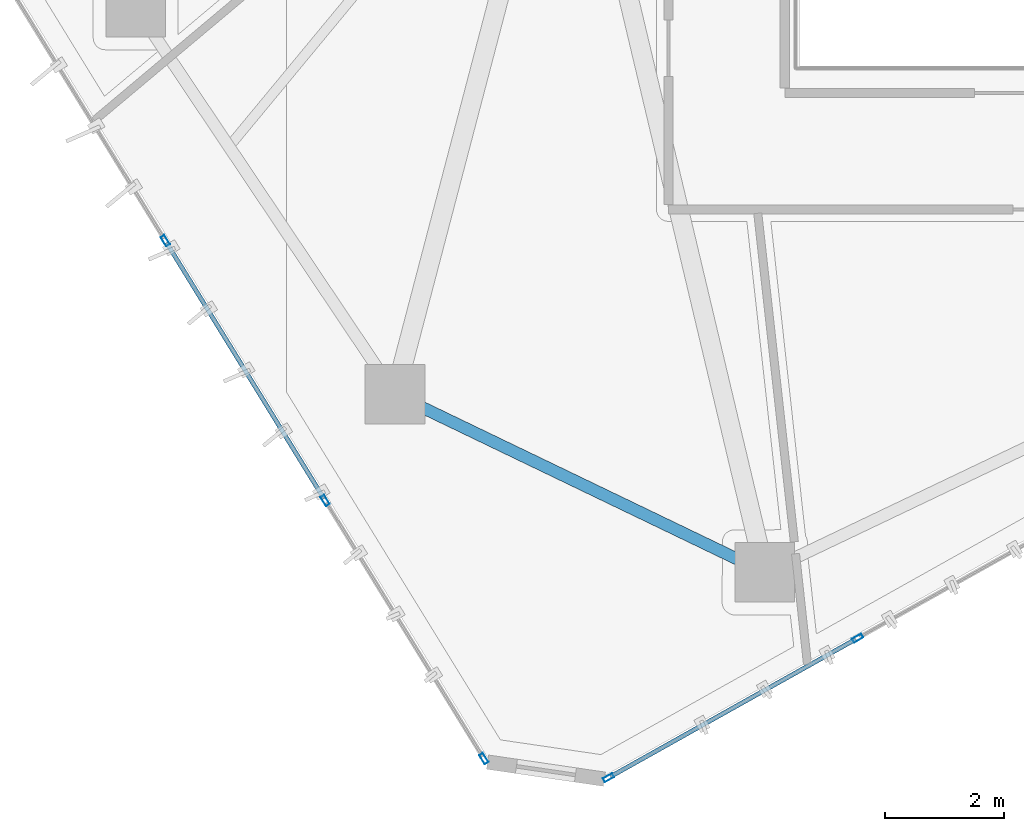
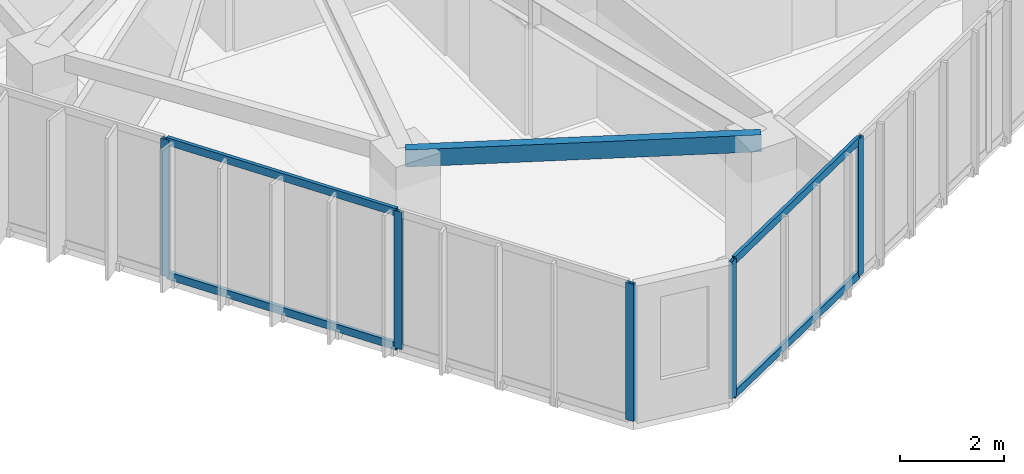
# One storey, part 2 of 19: 9 members, 1 beam, 2 elements without a shape of their own.
"""IFC4 building model written with IfcOpenShell, lengths in metres."""

import ifcopenshell
import ifcopenshell.guid

model = None  # the IFC model being written
_history = None  # IfcOwnerHistory: only IFC2X3 demands one
_inside = {}  # id of a spatial element -> (the spatial element, [elements in it])
_under = {}  # id of a project, library or spatial element -> (it, [spatial elements below it])
_declared = {}  # id of a project -> (the project, [libraries it declares])
_typed = {}  # id of a type object -> (the type object, [elements of that type])
_made_of = {}  # id of a material, layer set ... -> (it, [elements and type objects made of it])


def new_model(schema):
    """Start an empty IFC model of exactly this schema.

    Asked for "IFC4X3", IfcOpenShell would pick the latest addendum, in which some entities
    have other attributes; the version numbers below select the first issue.
    IFC2X3 requires an IfcOwnerHistory on every rooted entity: one is made here for all.
    """
    global model, _history
    if schema == "IFC4X3":
        model = ifcopenshell.file(schema_version=(4, 3, 0, 0))
    else:
        model = ifcopenshell.file(schema=schema)
    _inside.clear()
    _under.clear()
    _declared.clear()
    _typed.clear()
    _made_of.clear()
    _history = None
    if model.schema == "IFC2X3":
        org = make("IfcOrganization", Name="unknown")
        user = make(
            "IfcPersonAndOrganization",
            ThePerson=make("IfcPerson", FamilyName="unknown"),
            TheOrganization=org,
        )
        app = make(
            "IfcApplication",
            ApplicationDeveloper=org,
            Version="unknown",
            ApplicationFullName="unknown",
            ApplicationIdentifier="unknown",
        )
        _history = make(
            "IfcOwnerHistory",
            OwningUser=user,
            OwningApplication=app,
            ChangeAction="ADDED",
            CreationDate=0,
        )
    return model


def make(cls, **values):
    """One entity of the class cls with the attributes given. An attribute that is None is left unset."""
    return model.create_entity(
        cls, **{name: value for name, value in values.items() if value is not None}
    )


def rooted(cls, **values):
    """An entity with a GlobalId (a new one), such as an element, a storey or a relation."""
    return make(cls, GlobalId=ifcopenshell.guid.new(), OwnerHistory=_history, **values)


def si_unit(unit_type, name, prefix=None):
    """IfcSIUnit, for example si_unit("LENGTHUNIT", "METRE", prefix="MILLI")."""
    return make("IfcSIUnit", UnitType=unit_type, Prefix=prefix, Name=name)


def assignment(units):
    """IfcUnitAssignment: the units of a project."""
    return None if units is None else make("IfcUnitAssignment", Units=units)


def point(xyz):
    """IfcCartesianPoint."""
    return None if xyz is None else make("IfcCartesianPoint", Coordinates=xyz)


def direction(xyz):
    """IfcDirection."""
    return None if xyz is None else make("IfcDirection", DirectionRatios=xyz)


def frame(location, z_axis=None, x_axis=None):
    """IfcAxis2Placement3D, a coordinate frame: its origin and axes. An axis left out is left unset."""
    return make(
        "IfcAxis2Placement3D",
        Location=point(location),
        Axis=direction(z_axis),
        RefDirection=direction(x_axis),
    )


def frame_2d(location, x_axis=None):
    """IfcAxis2Placement2D, a coordinate frame in the plane: its origin and x axis."""
    return make(
        "IfcAxis2Placement2D", Location=point(location), RefDirection=direction(x_axis)
    )


def origin():
    """The frame at (0, 0, 0) with its axes left unset."""
    return frame((0.0, 0.0, 0.0))


def origin_2d():
    """The frame at (0, 0) in the plane with its x axis left unset."""
    return frame_2d((0.0, 0.0))


def place(relative_to, where):
    """IfcLocalPlacement: puts the frame where relative to a parent placement (None: the world)."""
    return make(
        "IfcLocalPlacement", PlacementRelTo=relative_to, RelativePlacement=where
    )


def context(
    kind, dimensions, precision=None, world=None, true_north=None, identifier=None
):
    """IfcGeometricRepresentationContext, for example the 3D "Model" context."""
    return make(
        "IfcGeometricRepresentationContext",
        ContextIdentifier=identifier,
        ContextType=kind,
        CoordinateSpaceDimension=dimensions,
        Precision=precision,
        WorldCoordinateSystem=world,
        TrueNorth=true_north,
    )


def subcontext(parent, identifier, kind, view, scale=None):
    """IfcGeometricRepresentationSubContext, for example "Body" below "Model"."""
    return make(
        "IfcGeometricRepresentationSubContext",
        ContextIdentifier=identifier,
        ContextType=kind,
        ParentContext=parent,
        TargetScale=scale,
        TargetView=view,
    )


def project(units=None, contexts=None):
    """IfcProject with its units and contexts."""
    return rooted(
        "IfcProject",
        Name="project",
        RepresentationContexts=contexts,
        UnitsInContext=assignment(units),
    )


def spatial(cls, under=None, at=None, **own):
    """A site, building, storey or space (cls), placed at a placement, below another one or the project."""
    s = rooted(cls, ObjectPlacement=at, **own)
    if under is not None:
        _under.setdefault(under.id(), (under, []))[1].append(s)
    return s


def profile(cls, at=None, kind="AREA", **sizes):
    """A parametric profile (cls). Its sizes go by their IFC names, for example OverallWidth=200.0."""
    return make(cls, ProfileType=kind, Position=at, **sizes)


def hollow_rectangle(**sizes):
    """IfcRectangleHollowProfileDef."""
    return profile("IfcRectangleHollowProfileDef", **sizes)


def extrude(swept, where, along, depth):
    """IfcExtrudedAreaSolid: the profile swept, set in the frame where, extruded along a direction by depth."""
    return make(
        "IfcExtrudedAreaSolid",
        SweptArea=swept,
        Position=where,
        ExtrudedDirection=direction(along),
        Depth=depth,
    )


def shape(context_of_items, identifier, shape_type, items):
    """IfcShapeRepresentation: the items that make up one representation, for example the "Body"."""
    return make(
        "IfcShapeRepresentation",
        ContextOfItems=context_of_items,
        RepresentationIdentifier=identifier,
        RepresentationType=shape_type,
        Items=items,
    )


def source(mapping_origin, context_of_items, identifier, shape_type, items):
    """IfcRepresentationMap: a shape defined once, which mapped items show again and again."""
    return make(
        "IfcRepresentationMap",
        MappingOrigin=mapping_origin,
        MappedRepresentation=shape(context_of_items, identifier, shape_type, items),
    )


def transform(
    local_origin,
    x_axis=None,
    y_axis=None,
    z_axis=None,
    scale=None,
    scale2=None,
    scale3=None,
    uniform=True,
):
    """IfcCartesianTransformationOperator3D, or its non-uniform kind. x_axis, y_axis, z_axis: its Axis1, 2, 3."""
    if uniform:
        return make(
            "IfcCartesianTransformationOperator3D",
            Axis1=direction(x_axis),
            Axis2=direction(y_axis),
            LocalOrigin=point(local_origin),
            Scale=scale,
            Axis3=direction(z_axis),
        )
    return make(
        "IfcCartesianTransformationOperator3DnonUniform",
        Axis1=direction(x_axis),
        Axis2=direction(y_axis),
        LocalOrigin=point(local_origin),
        Scale=scale,
        Axis3=direction(z_axis),
        Scale2=scale2,
        Scale3=scale3,
    )


def mapped(mapping_source, mapping_target):
    """IfcMappedItem: shows the shape of a source again, moved by a transform."""
    return make(
        "IfcMappedItem", MappingSource=mapping_source, MappingTarget=mapping_target
    )


def material(Name=None, Category=None):
    """IfcMaterial."""
    return make("IfcMaterial", Name=Name, Category=Category)


def layer(
    of_material, thickness, ventilated=None, Name=None, Category=None, Priority=None
):
    """IfcMaterialLayer: one layer of a wall or slab, of a material (None: an air gap)."""
    return make(
        "IfcMaterialLayer",
        Material=of_material,
        LayerThickness=thickness,
        IsVentilated=ventilated,
        Name=Name,
        Category=Category,
        Priority=Priority,
    )


def layer_set(layers, Name=None):
    """IfcMaterialLayerSet."""
    return make("IfcMaterialLayerSet", MaterialLayers=layers, LayerSetName=Name)


def material_profile(
    of_material, cross_section, Name=None, Category=None, Priority=None
):
    """IfcMaterialProfile: a cross section and its material."""
    return make(
        "IfcMaterialProfile",
        Name=Name,
        Material=of_material,
        Profile=cross_section,
        Priority=Priority,
        Category=Category,
    )


def profile_set(profiles, Name=None, composite=None):
    """IfcMaterialProfileSet."""
    return make(
        "IfcMaterialProfileSet",
        Name=Name,
        MaterialProfiles=profiles,
        CompositeProfile=composite,
    )


def made_of(thing, what):
    """Note that an element or type object is made of a material, layer set ...; save() writes the relation."""
    if what is not None:
        _made_of.setdefault(what.id(), (what, []))[1].append(thing)
    return thing


def type_object(cls, material=None, **own):
    """A type object (cls), such as IfcWallType, which elements share."""
    return made_of(rooted(cls, **own), material)


def type_shapes(of_type, sources):
    """Give a type object the sources (RepresentationMaps) that its elements show as mapped items."""
    of_type.RepresentationMaps = sources


def element(
    cls,
    number,
    at=None,
    inside=None,
    cuts=None,
    type_object=None,
    material=None,
    context=None,
    identifier="Body",
    shape_type=None,
    held_by="IfcProductDefinitionShape",
    body=None,
    shapes=None,
    **own,
):
    """One element of the class cls, such as IfcWall. Its Tag is "e" and its number.

    at: its placement. inside: the storey or other place that contains it. cuts: it is an
    opening in that element (IfcRelVoidsElement). A single representation is given by context,
    identifier, shape_type and body (its items); several are given by shapes. held_by: the class
    of the entity that holds the representations. save() writes the other relations.
    """
    e = rooted(cls, Tag="e%d" % number, ObjectPlacement=at, **own)
    if body is not None:
        shapes = [shape(context, identifier, shape_type, body)]
    if shapes is not None:
        e.Representation = make(held_by, Representations=shapes)
    if inside is not None:
        _inside.setdefault(inside.id(), (inside, []))[1].append(e)
    if cuts is not None:
        rooted(
            "IfcRelVoidsElement", RelatingBuildingElement=cuts, RelatedOpeningElement=e
        )
    if type_object is not None:
        _typed.setdefault(type_object.id(), (type_object, []))[1].append(e)
    return made_of(e, material)


def aggregate(whole, parts):
    """IfcRelAggregates: a whole, such as a stair, and the parts it consists of."""
    return rooted("IfcRelAggregates", RelatingObject=whole, RelatedObjects=parts)


def save(model, path):
    """Write the relations noted so far, then the file.

    IfcRelAggregates (storeys below a building ...), IfcRelContainedInSpatialStructure (elements
    in a storey), IfcRelDefinesByType, IfcRelAssociatesMaterial and IfcRelDeclares: one each for
    every whole, place, type object, material and project.
    """
    for whole, parts in _under.values():
        aggregate(whole, parts)
    for where, things in _inside.values():
        rooted(
            "IfcRelContainedInSpatialStructure",
            RelatedElements=things,
            RelatingStructure=where,
        )
    for kind, things in _typed.values():
        rooted("IfcRelDefinesByType", RelatedObjects=things, RelatingType=kind)
    for what, things in _made_of.values():
        rooted("IfcRelAssociatesMaterial", RelatedObjects=things, RelatingMaterial=what)
    for by, libraries in _declared.values():
        rooted("IfcRelDeclares", RelatingContext=by, RelatedDefinitions=libraries)
    model.write(path)


model = new_model("IFC4")

# Units and contexts
model_context = context("Model", 3, precision=1e-05, world=origin(), true_north=direction((0.0, 1.0)))
body_context = subcontext(model_context, "Body", "Model", "MODEL_VIEW")
ifc_project = project(units=[si_unit("LENGTHUNIT", "METRE"), si_unit("AREAUNIT", "SQUARE_METRE"), si_unit("VOLUMEUNIT", "CUBIC_METRE"), si_unit("PLANEANGLEUNIT", "RADIAN"), si_unit("MASSUNIT", "GRAM", prefix="KILO")], contexts=[model_context])

# Site, building, storey
site_placement = place(None, origin())
site = spatial("IfcSite", under=ifc_project, at=site_placement, CompositionType="ELEMENT")
building_placement = place(site_placement, origin())
building = spatial("IfcBuilding", under=site, at=building_placement, Name="Talar Marvaseh", CompositionType="ELEMENT")
storey_placement = place(building_placement, frame((0.0, 0.0, 177.5)))
storey = spatial("IfcBuildingStorey", under=building, at=storey_placement, Name="L46", CompositionType="ELEMENT", Elevation=177.5)

# Beam
ifc_material_1 = material(Name="Steel S355", Category="steel")
ifc_material_profile_1 = material_profile(ifc_material_1, hollow_rectangle(XDim=0.199951171875, YDim=0.39990234375, WallThickness=0.013916015625, at=origin_2d()), Name="RHS400x200x14")
ifc_profile_set_1 = profile_set([ifc_material_profile_1], Name="Steel S355")
beam_type = type_object("IfcBeamType", Name="Zone 3 Perimeter Spandrel Beam RHS400x200x14", PredefinedType="SPANDREL", material=ifc_profile_set_1)
beam_placement = place(storey_placement, frame((22.014892578125, 11.51904296875, 3.030029296875), z_axis=(-0.901071562993, 0.433670425975, 0.0), x_axis=(-0.433670425975, -0.901071562993, 0.0)))
element("IfcBeam", 1, at=beam_placement, inside=storey, type_object=beam_type, Name="L46 Zone 3 Perimeter Spandrel Beam RHS400x200x14", PredefinedType="SPANDREL", context=body_context, shape_type="SweptSolid", body=[
    extrude(hollow_rectangle(XDim=0.199951171875, YDim=0.39990234375, WallThickness=0.013916015625, at=origin_2d()), origin(), (0.0, 0.0, 1.0), 6.8759765625),
])

# Curtain wall, members
ifc_material_2 = material(Name="Architectural Aluminium", Category="aluminium")
ifc_layer = layer(ifc_material_2, 0.18994140625)
ifc_layer_set = layer_set([ifc_layer], Name="Architectural Aluminium")
curtain_wall_type = type_object("IfcCurtainWallType", Name="Unitised Solar Atelier Curtain Wall Z3", PredefinedType="NOTDEFINED", material=ifc_layer_set)
curtain_wall_1_placement = place(storey_placement, origin())
curtain_wall_1 = element("IfcCurtainWall", 2, at=curtain_wall_1_placement, inside=storey, type_object=curtain_wall_type, Name="L46 Unitised Solar Atelier Curtain Wall Z3", PredefinedType="NOTDEFINED")
ifc_material_profile_2 = material_profile(ifc_material_2, hollow_rectangle(XDim=0.074951171875, YDim=0.179931640625, WallThickness=0.0048828125, at=origin_2d()), Name="RHS180x75x5")
ifc_profile_set_2 = profile_set([ifc_material_profile_2], Name="Architectural Aluminium")
member_type_1 = type_object("IfcMemberType", Name="Unitised Curtain Wall Standard Mullion RHS180x75x5", PredefinedType="MULLION", material=ifc_profile_set_2)
shared_shape_1 = source(origin(), body_context, "Body", "SweptSolid", [
    extrude(hollow_rectangle(XDim=0.074951171875, YDim=0.179931640625, WallThickness=0.0048828125, at=origin_2d()), origin(), (0.0, 0.0, 1.0), 3.22998046875),
])
type_shapes(member_type_1, [shared_shape_1])
member_1_placement = place(storey_placement, frame((17.307373046875, 8.3984375, 0.0), z_axis=(0.0, 0.0, 1.0), x_axis=(-0.851763727983, -0.523926093732, 0.0)))
member_1 = element("IfcMember", 3, at=member_1_placement, type_object=member_type_1, Name="CW-Z3 mullion 1", PredefinedType="MULLION", context=body_context, shape_type="MappedRepresentation", body=[
    mapped(shared_shape_1, transform((0.0, 0.0, 0.0), x_axis=(1.0, 0.0, 0.0), y_axis=(0.0, 1.0, 0.0), z_axis=(0.0, 0.0, 1.0), scale=1.0)),
])
member_2_placement = place(storey_placement, frame((14.648193359375, 12.7216796875, 0.0), z_axis=(0.0, 0.0, 1.0), x_axis=(-0.851763727983, -0.523926093732, 0.0)))
member_2 = element("IfcMember", 4, at=member_2_placement, type_object=member_type_1, Name="CW-Z3 mullion 2", PredefinedType="MULLION", context=body_context, shape_type="MappedRepresentation", body=[
    mapped(shared_shape_1, transform((0.0, 0.0, 0.0), x_axis=(1.0, 0.0, 0.0), y_axis=(0.0, 1.0, 0.0), z_axis=(0.0, 0.0, 1.0), scale=1.0)),
])
member_3_placement = place(storey_placement, frame((11.96923828125, 17.07666015625, 0.0), z_axis=(0.0, 0.0, 1.0), x_axis=(-0.851763727983, -0.523926093732, 0.0)))
member_3 = element("IfcMember", 5, at=member_3_placement, type_object=member_type_1, Name="CW-Z3 mullion 3", PredefinedType="MULLION", context=body_context, shape_type="MappedRepresentation", body=[
    mapped(shared_shape_1, transform((0.0, 0.0, 0.0), x_axis=(1.0, 0.0, 0.0), y_axis=(0.0, 1.0, 0.0), z_axis=(0.0, 0.0, 1.0), scale=1.0)),
])

curtain_wall_2_placement = place(storey_placement, origin())
curtain_wall_2 = element("IfcCurtainWall", 6, at=curtain_wall_2_placement, inside=storey, type_object=curtain_wall_type, Name="L46 Unitised Solar Atelier Curtain Wall Z3", PredefinedType="NOTDEFINED")
member_4_placement = place(storey_placement, frame((23.571044921875, 10.416259765625, 0.0), z_axis=(0.0, 0.0, 1.0), x_axis=(0.488755550357, -0.872420776916, 0.0)))
member_4 = element("IfcMember", 7, at=member_4_placement, type_object=member_type_1, Name="CW-Z3 mullion 4", PredefinedType="MULLION", context=body_context, shape_type="MappedRepresentation", body=[
    mapped(shared_shape_1, transform((0.0, 0.0, 0.0), x_axis=(1.0, 0.0, 0.0), y_axis=(0.0, 1.0, 0.0), z_axis=(0.0, 0.0, 1.0), scale=1.0)),
])
member_5_placement = place(storey_placement, frame((19.39697265625, 8.07763671875, 0.0), z_axis=(0.0, 0.0, 1.0), x_axis=(0.488755550357, -0.872420776916, 0.0)))
member_5 = element("IfcMember", 8, at=member_5_placement, type_object=member_type_1, Name="CW-Z3 mullion 5", PredefinedType="MULLION", context=body_context, shape_type="MappedRepresentation", body=[
    mapped(shared_shape_1, transform((0.0, 0.0, 0.0), x_axis=(1.0, 0.0, 0.0), y_axis=(0.0, 1.0, 0.0), z_axis=(0.0, 0.0, 1.0), scale=1.0)),
])
ifc_material_profile_3 = material_profile(ifc_material_2, hollow_rectangle(XDim=0.074951171875, YDim=0.179931640625, WallThickness=0.0048828125, at=origin_2d()), Name="RHS180x75x5")
ifc_profile_set_3 = profile_set([ifc_material_profile_3], Name="Architectural Aluminium")
member_type_2 = type_object("IfcMemberType", Name="Unitised Curtain Wall Transom RHS180x75x5", PredefinedType="USERDEFINED", material=ifc_profile_set_3)
shared_shape_2 = source(origin(), body_context, "Body", "SweptSolid", [
    extrude(hollow_rectangle(XDim=0.074951171875, YDim=0.179931640625, WallThickness=0.0048828125, at=origin_2d()), origin(), (0.0, 0.0, 1.0), 4.70947265625),
])
member_6_placement = place(storey_placement, frame((23.538330078125, 10.39794921875, 0.03759765625), z_axis=(-0.872400802064, -0.488791203438, 0.0), x_axis=(0.488791203438, -0.872400802064, 0.0)))
member_6 = element("IfcMember", 9, at=member_6_placement, type_object=member_type_2, Name="CW-Z3 transom 4.1", ObjectType="TRANSOM", PredefinedType="USERDEFINED", context=body_context, shape_type="MappedRepresentation", body=[
    mapped(shared_shape_2, transform((0.0, 0.0, 0.0), x_axis=(1.0, 0.0, 0.0), y_axis=(0.0, 1.0, 0.0), z_axis=(0.0, 0.0, 1.0), scale=1.0)),
])
member_7_placement = place(storey_placement, frame((23.538330078125, 10.39794921875, 3.1923828125), z_axis=(-0.872400802064, -0.488791203438, 0.0), x_axis=(0.488791203438, -0.872400802064, 0.0)))
member_7 = element("IfcMember", 10, at=member_7_placement, type_object=member_type_2, Name="CW-Z3 transom 4.2", ObjectType="TRANSOM", PredefinedType="USERDEFINED", context=body_context, shape_type="MappedRepresentation", body=[
    mapped(shared_shape_2, transform((0.0, 0.0, 0.0), x_axis=(1.0, 0.0, 0.0), y_axis=(0.0, 1.0, 0.0), z_axis=(0.0, 0.0, 1.0), scale=1.0)),
])
aggregate(curtain_wall_2, [member_4, member_5, member_6, member_7])

# Member
shared_shape_3 = source(origin(), body_context, "Body", "SweptSolid", [
    extrude(hollow_rectangle(XDim=0.074951171875, YDim=0.179931640625, WallThickness=0.0048828125, at=origin_2d()), origin(), (0.0, 0.0, 1.0), 5.037841796875),
])
type_shapes(member_type_2, [shared_shape_2, shared_shape_3])
member_8_placement = place(storey_placement, frame((14.62841796875, 12.753662109375, 0.03759765625), z_axis=(-0.5239216621, 0.851766453896, 0.0), x_axis=(-0.851766453896, -0.5239216621, 0.0)))
member_8 = element("IfcMember", 11, at=member_8_placement, type_object=member_type_2, Name="CW-Z3 transom 2.1", ObjectType="TRANSOM", PredefinedType="USERDEFINED", context=body_context, shape_type="MappedRepresentation", body=[
    mapped(shared_shape_3, transform((0.0, 0.0, 0.0), x_axis=(1.0, 0.0, 0.0), y_axis=(0.0, 1.0, 0.0), z_axis=(0.0, 0.0, 1.0), scale=1.0)),
])

member_9_placement = place(storey_placement, frame((14.62841796875, 12.753662109375, 3.1923828125), z_axis=(-0.5239216621, 0.851766453896, 0.0), x_axis=(-0.851766453896, -0.5239216621, 0.0)))
member_9 = element("IfcMember", 12, at=member_9_placement, type_object=member_type_2, Name="CW-Z3 transom 2.2", ObjectType="TRANSOM", PredefinedType="USERDEFINED", context=body_context, shape_type="MappedRepresentation", body=[
    mapped(shared_shape_3, transform((0.0, 0.0, 0.0), x_axis=(1.0, 0.0, 0.0), y_axis=(0.0, 1.0, 0.0), z_axis=(0.0, 0.0, 1.0), scale=1.0)),
])

aggregate(curtain_wall_1, [member_1, member_2, member_3, member_8, member_9])

save(model, "model.ifc")
